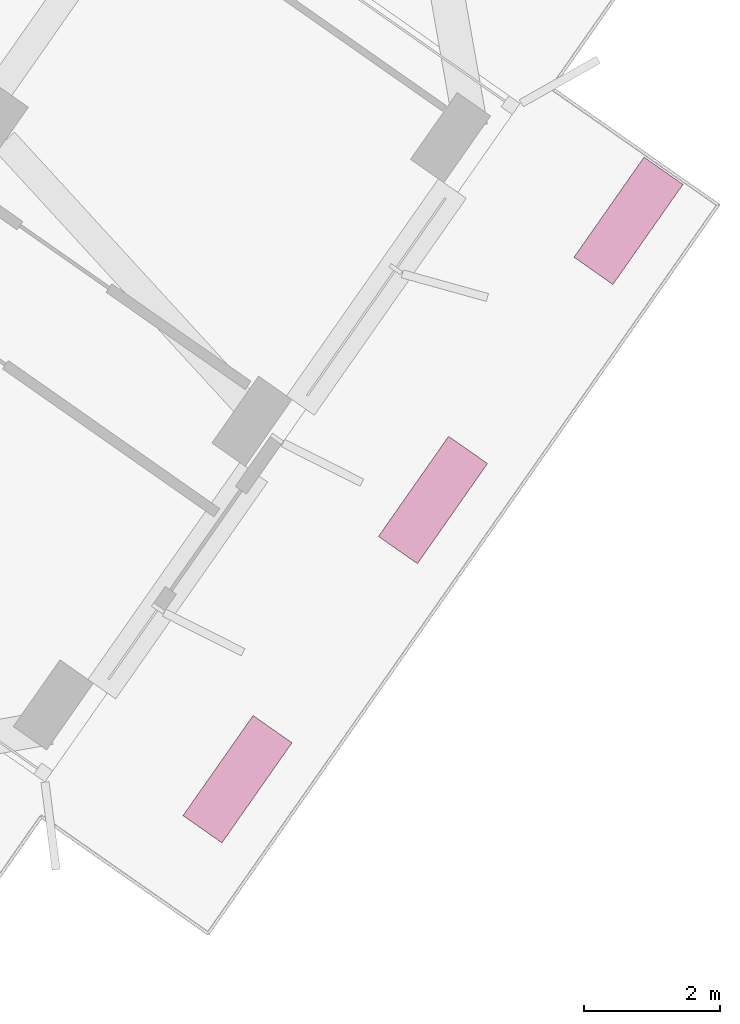
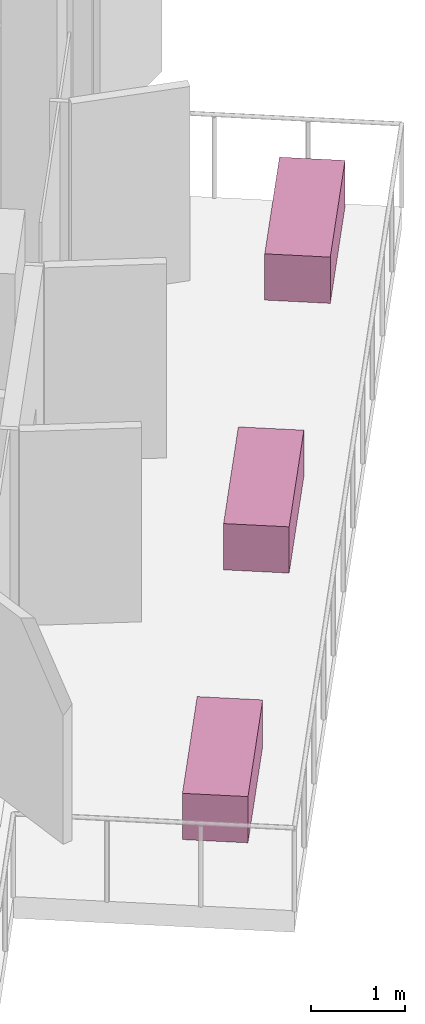
# One storey, part 22 of 22: 3 furniture elements.
"""IFC4 building model written with IfcOpenShell, lengths in metres."""

from ifc_helpers import new_model, si_unit, direction, frame, origin, origin_2d, place, context, subcontext, project, spatial, rectangle, extrude, material, type_object, element, save


model = new_model("IFC4")

# Units and contexts
model_context = context("Model", 3, precision=1e-05, world=origin(), true_north=direction((0.0, 1.0)))
body_context = subcontext(model_context, "Body", "Model", "MODEL_VIEW")
ifc_project = project(units=[si_unit("LENGTHUNIT", "METRE"), si_unit("AREAUNIT", "SQUARE_METRE"), si_unit("VOLUMEUNIT", "CUBIC_METRE"), si_unit("PLANEANGLEUNIT", "RADIAN"), si_unit("MASSUNIT", "GRAM", prefix="KILO")], contexts=[model_context])

# Site, building, storey
site_placement = place(None, origin())
site = spatial("IfcSite", under=ifc_project, at=site_placement, CompositionType="ELEMENT")
building_placement = place(site_placement, origin())
building = spatial("IfcBuilding", under=site, at=building_placement, Name="Tel Ilan Convention Tower", CompositionType="ELEMENT")
storey_placement = place(building_placement, frame((0.0, 0.0, 143.699951171875)))
storey = spatial("IfcBuildingStorey", under=building, at=storey_placement, Name="L32", CompositionType="ELEMENT", Elevation=143.699951171875)

# Furniture
ifc_material = material(Name="Concrete C30/37", Category="concrete")
furniture_type = type_object("IfcFurnitureType", Name="PLANTER 1800x700", AssemblyPlace="NOTDEFINED", PredefinedType="NOTDEFINED", material=ifc_material)
for number, where, z_axis, x_axis, name in (
    (1, (39.025146484375, -22.198486328125, 0.0), (0.0, 0.0, 1.0), (-0.573576436351, -0.819152044289, 0.0), "PLANTER"),
    (2, (36.145751953125, -26.310546875, 0.0), (0.0, 0.0, 1.0), (-0.573576436351, -0.819152044289, 0.0), "PLANTER"),
    (3, (33.266357421875, -30.422607421875, 0.0), (0.0, 0.0, 1.0), (-0.573576436351, -0.819152044289, 0.0), "PLANTER"),
):
    element("IfcFurniture", number, at=place(storey_placement, frame(where, z_axis=z_axis, x_axis=x_axis)), inside=storey, type_object=furniture_type, Name=name, PredefinedType="NOTDEFINED", context=body_context, shape_type="SweptSolid", body=[
        extrude(rectangle(XDim=1.800048828125, YDim=0.699951171875, at=origin_2d()), origin(), (0.0, 0.0, 1.0), 0.60009765625),
    ])

save(model, "model.ifc")
